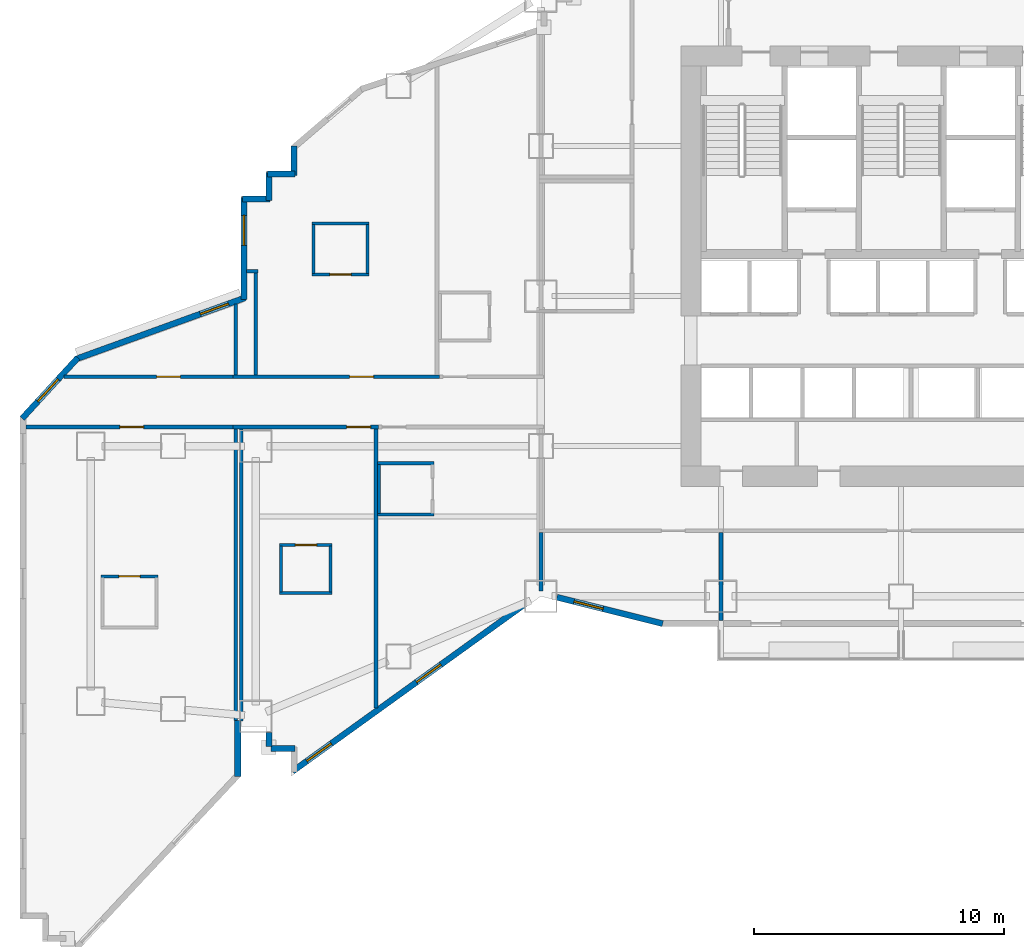
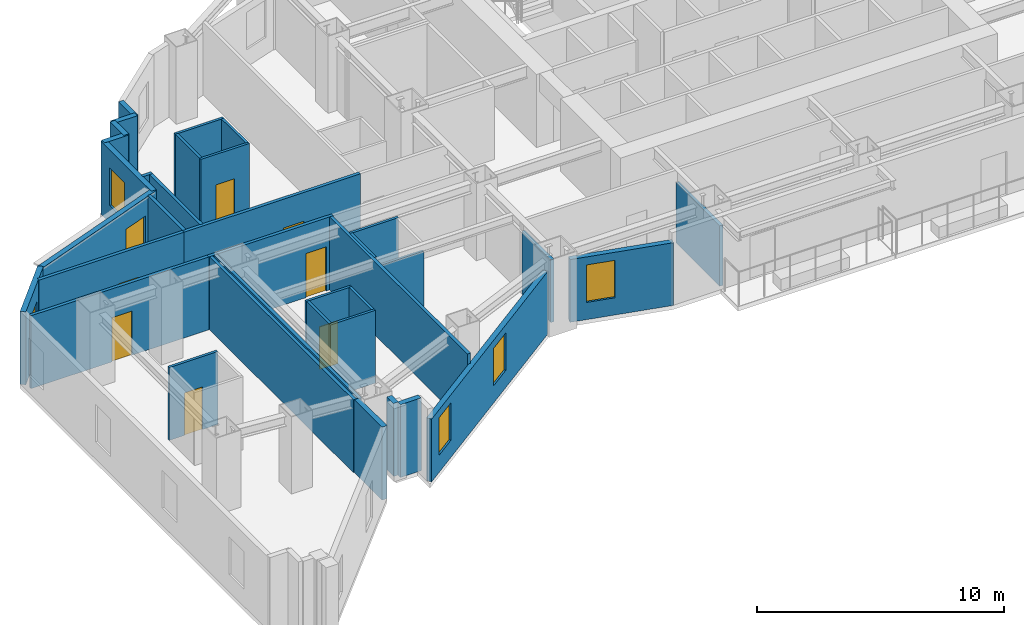
# One storey, part 7 of 17: 36 walls, 7 doors, 6 windows, 13 openings.
"""IFC4 building model written with IfcOpenShell, lengths in metres."""

from ifc_helpers import new_model, si_unit, direction, frame, frame_2d, origin, place, context, subcontext, project, spatial, rectangle, extrude, material, layer, layer_set, type_object, element, fill, save


model = new_model("IFC4")

# Units and contexts
model_context = context("Model", 3, precision=1e-05, world=origin(), true_north=direction((0.0, 1.0)))
body_context = subcontext(model_context, "Body", "Model", "MODEL_VIEW")
ifc_project = project(units=[si_unit("LENGTHUNIT", "METRE"), si_unit("AREAUNIT", "SQUARE_METRE"), si_unit("VOLUMEUNIT", "CUBIC_METRE"), si_unit("PLANEANGLEUNIT", "RADIAN"), si_unit("MASSUNIT", "GRAM", prefix="KILO")], contexts=[model_context])

# Site, building, storey
site_placement = place(None, origin())
site = spatial("IfcSite", under=ifc_project, at=site_placement, CompositionType="ELEMENT")
building_placement = place(site_placement, origin())
building = spatial("IfcBuilding", under=site, at=building_placement, Name="Haolan Belvedere Tower", CompositionType="ELEMENT")
storey_placement = place(building_placement, frame((0.0, 0.0, 27.800048828125)))
storey = spatial("IfcBuildingStorey", under=building, at=storey_placement, Name="L06", CompositionType="ELEMENT", Elevation=27.800048828125)

# Walls
ifc_material_1 = material(Name="Precast concrete C40/50", Category="concrete")
ifc_layer_1 = layer(ifc_material_1, 0.239990234375, Name="Precast concrete C40/50")
ifc_layer_set_1 = layer_set([ifc_layer_1], Name="Precast concrete C40/50")
wall_type_1 = type_object("IfcWallType", Name="WL-EXT-240", PredefinedType="SOLIDWALL", material=ifc_layer_set_1)
wall_1_placement = place(storey_placement, frame((11.8798828125, 14.392333984375, 0.0), z_axis=(0.0, 0.0, 1.0), x_axis=(0.0, 1.0, 0.0)))
element("IfcWall", 1, at=wall_1_placement, inside=storey, type_object=wall_type_1, Name="L06 pale-metal exterior spandrel wall 6.1", PredefinedType="SOLIDWALL", context=body_context, shape_type="SweptSolid", body=[
    extrude(rectangle(XDim=2.24755859375, YDim=0.239990234375, at=frame_2d((1.123779296875, 0.0))), origin(), (0.0, 0.0, 1.0), 3.599853515625),
])
wall_2_placement = place(storey_placement, frame((13.1201171875, 16.157958984375, 0.0), z_axis=(0.0, 0.0, 1.0), x_axis=(0.0, -1.0, 0.0)))
element("IfcWall", 2, at=wall_2_placement, inside=storey, type_object=wall_type_1, Name="L06 pale-metal exterior spandrel wall 8.1", PredefinedType="SOLIDWALL", context=body_context, shape_type="SweptSolid", body=[
    extrude(rectangle(XDim=0.552978515625, YDim=0.239990234375, at=frame_2d((0.2763671875, 0.0))), origin(), (0.0, 0.0, 1.0), 3.599853515625),
])
wall_3_placement = place(storey_placement, frame((13.205078125, 15.52001953125, 0.0), z_axis=(0.0, 0.0, 1.0), x_axis=(1.0, 0.0, 0.0)))
element("IfcWall", 3, at=wall_3_placement, inside=storey, type_object=wall_type_1, Name="L06 pale-metal exterior spandrel wall 9.1", PredefinedType="SOLIDWALL", context=body_context, shape_type="SweptSolid", body=[
    extrude(rectangle(XDim=0.969970703125, YDim=0.239990234375, at=frame_2d((0.48486328125, 0.0))), origin(), (0.0, 0.0, 1.0), 3.599853515625),
])

# Wall, openings, windows
wall_4_placement = place(storey_placement, frame((14.075439453125, 14.602294921875, 0.0), z_axis=(0.0, 0.0, 1.0), x_axis=(0.811535555989, 0.584303038984, 0.0)))
wall_4 = element("IfcWall", 4, at=wall_4_placement, inside=storey, type_object=wall_type_1, Name="L06 pale-metal exterior spandrel wall 11.1", PredefinedType="SOLIDWALL", context=body_context, shape_type="SweptSolid", body=[
    extrude(rectangle(XDim=11.438232421875, YDim=0.239990234375, at=frame_2d((5.71923828125, 0.0))), origin(), (0.0, 0.0, 1.0), 3.096923828125),
])
opening_1_placement = place(wall_4_placement, frame((0.699951171875, 0.0, 0.85009765625)))
opening_1 = element("IfcOpeningElement", 5, at=opening_1_placement, cuts=wall_4, Name="Opening W-01", PredefinedType="OPENING", context=body_context, shape_type="SweptSolid", body=[
    extrude(rectangle(XDim=1.199951171875, YDim=1.85009765625, at=frame_2d((0.60009765625, 0.925048828125))), frame((0.0, 0.1298828125, 0.0), z_axis=(0.0, -1.0, 0.0), x_axis=(1.0, 0.0, 0.0)), (0.0, 0.0, 1.0), 0.260009765625),
])
opening_2_placement = place(wall_4_placement, frame((6.10009765625, 0.0, 0.85009765625)))
opening_2 = element("IfcOpeningElement", 6, at=opening_2_placement, cuts=wall_4, Name="Opening W-01", PredefinedType="OPENING", context=body_context, shape_type="SweptSolid", body=[
    extrude(rectangle(XDim=1.199951171875, YDim=1.85009765625, at=frame_2d((0.60009765625, 0.925048828125))), frame((0.0, 0.1298828125, 0.0), z_axis=(0.0, -1.0, 0.0), x_axis=(1.0, 0.0, 0.0)), (0.0, 0.0, 1.0), 0.260009765625),
])
ifc_material_2 = material(Name="Anodised aluminium 6063-T6 and Low-E glass", Category="aluminium")
window_type = type_object("IfcWindowType", Name="WN-DECO-Z1", PartitioningType="SINGLE_PANEL", PredefinedType="WINDOW", material=ifc_material_2)
window_1_placement = place(opening_1_placement, origin())
window_1 = element("IfcWindow", 7, at=window_1_placement, inside=storey, type_object=window_type, Name="L06 Art Deco chevron window 1", OverallHeight=1.85009765625, OverallWidth=1.199951171875, PartitioningType="SINGLE_PANEL", PredefinedType="WINDOW", context=body_context, shape_type="SweptSolid", body=[
    extrude(rectangle(XDim=1.199951171875, YDim=1.85009765625, at=frame_2d((0.60009765625, 0.925048828125))), frame((0.0, 0.030029296875, 0.0), z_axis=(0.0, -1.0, 0.0), x_axis=(1.0, 0.0, 0.0)), (0.0, 0.0, 1.0), 0.06005859375),
])
fill(opening_1, window_1)
window_2_placement = place(opening_2_placement, origin())
window_2 = element("IfcWindow", 8, at=window_2_placement, inside=storey, type_object=window_type, Name="L06 Art Deco chevron window 2", OverallHeight=1.85009765625, OverallWidth=1.199951171875, PartitioningType="SINGLE_PANEL", PredefinedType="WINDOW", context=body_context, shape_type="SweptSolid", body=[
    extrude(rectangle(XDim=1.199951171875, YDim=1.85009765625, at=frame_2d((0.60009765625, 0.925048828125))), frame((0.0, 0.030029296875, 0.0), z_axis=(0.0, -1.0, 0.0), x_axis=(1.0, 0.0, 0.0)), (0.0, 0.0, 1.0), 0.06005859375),
])
fill(opening_2, window_2)

# Wall, opening, window
wall_5_placement = place(storey_placement, frame((24.64208984375, 21.563232421875, 0.0), z_axis=(0.0, 0.0, 1.0), x_axis=(0.970135906278, -0.242561998982, 0.0)))
wall_5 = element("IfcWall", 9, at=wall_5_placement, inside=storey, type_object=wall_type_1, Name="L06 pale-metal exterior spandrel wall 12.1", PredefinedType="SOLIDWALL", context=body_context, shape_type="SweptSolid", body=[
    extrude(rectangle(XDim=4.356201171875, YDim=0.239990234375, at=frame_2d((2.17822265625, 0.0))), origin(), (0.0, 0.0, 1.0), 3.096923828125),
])
opening_3_placement = place(wall_5_placement, frame((0.699951171875, 0.0, 0.85009765625)))
opening_3 = element("IfcOpeningElement", 10, at=opening_3_placement, cuts=wall_5, Name="Opening W-01", PredefinedType="OPENING", context=body_context, shape_type="SweptSolid", body=[
    extrude(rectangle(XDim=1.199951171875, YDim=1.85009765625, at=frame_2d((0.60009765625, 0.925048828125))), frame((0.0, 0.1298828125, 0.0), z_axis=(0.0, -1.0, 0.0), x_axis=(1.0, 0.0, 0.0)), (0.0, 0.0, 1.0), 0.260009765625),
])
window_3_placement = place(opening_3_placement, origin())
window_3 = element("IfcWindow", 11, at=window_3_placement, inside=storey, type_object=window_type, Name="L06 Art Deco chevron window 1", OverallHeight=1.85009765625, OverallWidth=1.199951171875, PartitioningType="SINGLE_PANEL", PredefinedType="WINDOW", context=body_context, shape_type="SweptSolid", body=[
    extrude(rectangle(XDim=1.199951171875, YDim=1.85009765625, at=frame_2d((0.60009765625, 0.925048828125))), frame((0.0, 0.030029296875, 0.0), z_axis=(0.0, -1.0, 0.0), x_axis=(1.0, 0.0, 0.0)), (0.0, 0.0, 1.0), 0.06005859375),
])
fill(opening_3, window_3)

# Walls
wall_6_placement = place(storey_placement, frame((14.1201171875, 39.599853515625, 0.0), z_axis=(0.0, 0.0, 1.0), x_axis=(0.0, -1.0, 0.0)))
element("IfcWall", 12, at=wall_6_placement, inside=storey, type_object=wall_type_1, Name="L06 pale-metal exterior spandrel wall 52.1", PredefinedType="SOLIDWALL", context=body_context, shape_type="SweptSolid", body=[
    extrude(rectangle(XDim=1.1748046875, YDim=0.239990234375, at=frame_2d((0.58740234375, 0.0))), origin(), (0.0, 0.0, 1.0), 3.599853515625),
])
wall_7_placement = place(storey_placement, frame((14.175048828125, 38.47998046875, 0.0), z_axis=(0.0, 0.0, 1.0), x_axis=(-1.0, 0.0, 0.0)))
element("IfcWall", 13, at=wall_7_placement, inside=storey, type_object=wall_type_1, Name="L06 pale-metal exterior spandrel wall 53.1", PredefinedType="SOLIDWALL", context=body_context, shape_type="SweptSolid", body=[
    extrude(rectangle(XDim=1.110107421875, YDim=0.239990234375, at=frame_2d((0.55517578125, 0.0))), origin(), (0.0, 0.0, 1.0), 3.599853515625),
])
wall_8_placement = place(storey_placement, frame((13.1201171875, 38.534912109375, 0.0), z_axis=(0.0, 0.0, 1.0), x_axis=(0.0, -1.0, 0.0)))
element("IfcWall", 14, at=wall_8_placement, inside=storey, type_object=wall_type_1, Name="L06 pale-metal exterior spandrel wall 54.1", PredefinedType="SOLIDWALL", context=body_context, shape_type="SweptSolid", body=[
    extrude(rectangle(XDim=1.10986328125, YDim=0.239990234375, at=frame_2d((0.554931640625, 0.0))), origin(), (0.0, 0.0, 1.0), 3.599853515625),
])
wall_9_placement = place(storey_placement, frame((13.175048828125, 37.47998046875, 0.0), z_axis=(0.0, 0.0, 1.0), x_axis=(-1.0, 0.0, 0.0)))
element("IfcWall", 15, at=wall_9_placement, inside=storey, type_object=wall_type_1, Name="L06 pale-metal exterior spandrel wall 55.1", PredefinedType="SOLIDWALL", context=body_context, shape_type="SweptSolid", body=[
    extrude(rectangle(XDim=1.110107421875, YDim=0.239990234375, at=frame_2d((0.55517578125, 0.0))), origin(), (0.0, 0.0, 1.0), 3.599853515625),
])

# Wall, opening, window
wall_10_placement = place(storey_placement, frame((12.1201171875, 37.534912109375, 0.0), z_axis=(0.0, 0.0, 1.0), x_axis=(0.0, -1.0, 0.0)))
wall_10 = element("IfcWall", 16, at=wall_10_placement, inside=storey, type_object=wall_type_1, Name="L06 pale-metal exterior spandrel wall 56.1", PredefinedType="SOLIDWALL", context=body_context, shape_type="SweptSolid", body=[
    extrude(rectangle(XDim=4.073974609375, YDim=0.239990234375, at=frame_2d((2.037109375, 0.0))), origin(), (0.0, 0.0, 1.0), 3.599853515625),
])
opening_4_placement = place(wall_10_placement, frame((0.699951171875, 0.0, 0.85009765625)))
opening_4 = element("IfcOpeningElement", 17, at=opening_4_placement, cuts=wall_10, Name="Opening W-01", PredefinedType="OPENING", context=body_context, shape_type="SweptSolid", body=[
    extrude(rectangle(XDim=1.199951171875, YDim=1.85009765625, at=frame_2d((0.60009765625, 0.925048828125))), frame((0.0, 0.1298828125, 0.0), z_axis=(0.0, -1.0, 0.0), x_axis=(1.0, 0.0, 0.0)), (0.0, 0.0, 1.0), 0.260009765625),
])
window_4_placement = place(opening_4_placement, origin())
window_4 = element("IfcWindow", 18, at=window_4_placement, inside=storey, type_object=window_type, Name="L06 Art Deco chevron window 1", OverallHeight=1.85009765625, OverallWidth=1.199951171875, PartitioningType="SINGLE_PANEL", PredefinedType="WINDOW", context=body_context, shape_type="SweptSolid", body=[
    extrude(rectangle(XDim=1.199951171875, YDim=1.85009765625, at=frame_2d((0.60009765625, 0.925048828125))), frame((0.0, 0.030029296875, 0.0), z_axis=(0.0, -1.0, 0.0), x_axis=(1.0, 0.0, 0.0)), (0.0, 0.0, 1.0), 0.06005859375),
])
fill(opening_4, window_4)

wall_11_placement = place(storey_placement, frame((12.171630859375, 33.53466796875, 0.0), z_axis=(0.0, 0.0, 1.0), x_axis=(-0.940125345433, -0.340828893836, 0.0)))
wall_11 = element("IfcWall", 19, at=wall_11_placement, inside=storey, type_object=wall_type_1, Name="L06 pale-metal exterior spandrel wall 57.1", PredefinedType="SOLIDWALL", context=body_context, shape_type="SweptSolid", body=[
    extrude(rectangle(XDim=7.2060546875, YDim=0.239990234375, at=frame_2d((3.60302734375, 0.0))), origin(), (0.0, 0.0, 1.0), 3.599853515625),
])
opening_5_placement = place(wall_11_placement, frame((0.699951171875, 0.0, 0.85009765625)))
opening_5 = element("IfcOpeningElement", 20, at=opening_5_placement, cuts=wall_11, Name="Opening W-01", PredefinedType="OPENING", context=body_context, shape_type="SweptSolid", body=[
    extrude(rectangle(XDim=1.199951171875, YDim=1.85009765625, at=frame_2d((0.60009765625, 0.925048828125))), frame((0.0, 0.1298828125, 0.0), z_axis=(0.0, -1.0, 0.0), x_axis=(1.0, 0.0, 0.0)), (0.0, 0.0, 1.0), 0.260009765625),
])
window_5_placement = place(opening_5_placement, origin())
window_5 = element("IfcWindow", 21, at=window_5_placement, inside=storey, type_object=window_type, Name="L06 Art Deco chevron window 1", OverallHeight=1.85009765625, OverallWidth=1.199951171875, PartitioningType="SINGLE_PANEL", PredefinedType="WINDOW", context=body_context, shape_type="SweptSolid", body=[
    extrude(rectangle(XDim=1.199951171875, YDim=1.85009765625, at=frame_2d((0.60009765625, 0.925048828125))), frame((0.0, 0.030029296875, 0.0), z_axis=(0.0, -1.0, 0.0), x_axis=(1.0, 0.0, 0.0)), (0.0, 0.0, 1.0), 0.06005859375),
])
fill(opening_5, window_5)

wall_12_placement = place(storey_placement, frame((5.48583984375, 31.1376953125, 0.0), z_axis=(0.0, 0.0, 1.0), x_axis=(-0.675791838304, -0.737092525591, 0.0)))
wall_12 = element("IfcWall", 22, at=wall_12_placement, inside=storey, type_object=wall_type_1, Name="L06 pale-metal exterior spandrel wall 58.1", PredefinedType="SOLIDWALL", context=body_context, shape_type="SweptSolid", body=[
    extrude(rectangle(XDim=3.289794921875, YDim=0.239990234375, at=frame_2d((1.64501953125, 0.0))), origin(), (0.0, 0.0, 1.0), 3.599853515625),
])
opening_6_placement = place(wall_12_placement, frame((1.166748046875, 0.0, 0.85009765625)))
opening_6 = element("IfcOpeningElement", 23, at=opening_6_placement, cuts=wall_12, Name="Opening W-01", PredefinedType="OPENING", context=body_context, shape_type="SweptSolid", body=[
    extrude(rectangle(XDim=1.199951171875, YDim=1.85009765625, at=frame_2d((0.60009765625, 0.925048828125))), frame((0.0, 0.1298828125, 0.0), z_axis=(0.0, -1.0, 0.0), x_axis=(1.0, 0.0, 0.0)), (0.0, 0.0, 1.0), 0.260009765625),
])
window_6_placement = place(opening_6_placement, origin())
window_6 = element("IfcWindow", 24, at=window_6_placement, inside=storey, type_object=window_type, Name="L06 Art Deco chevron window 1", OverallHeight=1.85009765625, OverallWidth=1.199951171875, PartitioningType="SINGLE_PANEL", PredefinedType="WINDOW", context=body_context, shape_type="SweptSolid", body=[
    extrude(rectangle(XDim=1.199951171875, YDim=1.85009765625, at=frame_2d((0.60009765625, 0.925048828125))), frame((0.0, 0.030029296875, 0.0), z_axis=(0.0, -1.0, 0.0), x_axis=(1.0, 0.0, 0.0)), (0.0, 0.0, 1.0), 0.06005859375),
])
fill(opening_6, window_6)

# Walls
ifc_material_3 = material(Name="Double gypsum acoustic stud partition", Category="masonry")
ifc_layer_2 = layer(ifc_material_3, 0.14990234375, Name="Double gypsum acoustic stud partition")
ifc_layer_set_2 = layer_set([ifc_layer_2], Name="Double gypsum acoustic stud partition")
wall_type_2 = type_object("IfcWallType", Name="WL-PART-150", PredefinedType="PARTITIONING", material=ifc_layer_set_2)
wall_13_placement = place(storey_placement, frame((24.0, 21.818603515625, 0.0), z_axis=(0.0, 0.0, 1.0), x_axis=(0.0, 1.0, 0.0)))
element("IfcWall", 25, at=wall_13_placement, inside=storey, type_object=wall_type_2, Name="L06 interior partition IW-L06-KS1-W", PredefinedType="PARTITIONING", context=body_context, shape_type="SweptSolid", body=[
    extrude(rectangle(XDim=2.34130859375, YDim=0.14990234375, at=frame_2d((1.170654296875, 0.0))), origin(), (0.0, 0.0, 1.0), 3.096923828125),
])
wall_14_placement = place(storey_placement, frame((31.199951171875, 20.625, 0.0), z_axis=(0.0, 0.0, 1.0), x_axis=(0.0, 1.0, 0.0)))
element("IfcWall", 26, at=wall_14_placement, inside=storey, type_object=wall_type_2, Name="L06 interior partition IW-L06-KS1-E", PredefinedType="PARTITIONING", context=body_context, shape_type="SweptSolid", body=[
    extrude(rectangle(XDim=3.534912109375, YDim=0.14990234375, at=frame_2d((1.767578125, 0.0))), origin(), (0.0, 0.0, 1.0), 2.98486328125),
])

# Wall, opening, door
wall_15_placement = place(storey_placement, frame((11.699951171875, 30.3798828125, 0.0), z_axis=(0.0, 0.0, 1.0), x_axis=(1.0, 0.0, 0.0)))
wall_15 = element("IfcWall", 27, at=wall_15_placement, inside=storey, type_object=wall_type_2, Name="L06 interior partition IW-L06-T2N1-S", PredefinedType="PARTITIONING", context=body_context, shape_type="SweptSolid", body=[
    extrude(rectangle(XDim=8.25, YDim=0.14990234375, at=frame_2d((4.125, 0.0))), origin(), (0.0, 0.0, 1.0), 3.599853515625),
])
opening_7_placement = place(wall_15_placement, frame((4.657470703125, 0.0, 0.0)))
opening_7 = element("IfcOpeningElement", 28, at=opening_7_placement, cuts=wall_15, Name="Opening ID-01", PredefinedType="OPENING", context=body_context, shape_type="SweptSolid", body=[
    extrude(rectangle(XDim=0.949951171875, YDim=2.179931640625, at=frame_2d((0.47509765625, 1.08984375))), frame((0.0, 0.0849609375, 0.0), z_axis=(0.0, -1.0, 0.0), x_axis=(1.0, 0.0, 0.0)), (0.0, 0.0, 1.0), 0.169921875),
])
ifc_material_4 = material(Name="Acoustic walnut veneer fire-rated timber", Category="wood")
door_type_1 = type_object("IfcDoorType", Name="DR-SUITE-950", OperationType="NOTDEFINED", PredefinedType="DOOR", material=ifc_material_4)
door_1_placement = place(opening_7_placement, origin())
door_1 = element("IfcDoor", 29, at=door_1_placement, inside=storey, type_object=door_type_1, Name="L06 door ID-L06-T2N1-ENT", OperationType="SINGLE_SWING_LEFT", OverallHeight=2.179931640625, OverallWidth=0.949951171875, PredefinedType="DOOR", context=body_context, shape_type="SweptSolid", body=[
    extrude(rectangle(XDim=0.949951171875, YDim=2.179931640625, at=frame_2d((0.47509765625, 1.08984375))), frame((0.0, 0.02490234375, 0.0), z_axis=(0.0, -1.0, 0.0), x_axis=(1.0, 0.0, 0.0)), (0.0, 0.0, 1.0), 0.050048828125),
])
fill(opening_7, door_1)

# Wall
wall_16_placement = place(storey_placement, frame((11.800048828125, 30.43994140625, 0.0), z_axis=(0.0, 0.0, 1.0), x_axis=(0.0, 1.0, 0.0)))
element("IfcWall", 30, at=wall_16_placement, inside=storey, type_object=wall_type_2, Name="L06 interior partition IW-L06-T2N1-W", PredefinedType="PARTITIONING", context=body_context, shape_type="SweptSolid", body=[
    extrude(rectangle(XDim=2.84814453125, YDim=0.14990234375, at=frame_2d((1.424072265625, 0.0))), origin(), (0.0, 0.0, 1.0), 3.599853515625),
])

# Wall, opening, door
wall_17_placement = place(storey_placement, frame((11.699951171875, 28.3701171875, 0.0), z_axis=(0.0, 0.0, 1.0), x_axis=(1.0, 0.0, 0.0)))
wall_17 = element("IfcWall", 31, at=wall_17_placement, inside=storey, type_object=wall_type_2, Name="L06 interior partition IW-L06-T2S1-N", PredefinedType="PARTITIONING", context=body_context, shape_type="SweptSolid", body=[
    extrude(rectangle(XDim=5.81005859375, YDim=0.14990234375, at=frame_2d((2.905029296875, 0.0))), origin(), (0.0, 0.0, 1.0), 3.599853515625),
])
opening_8_placement = place(wall_17_placement, frame((5.48779296875, 0.0, 0.0), z_axis=(0.0, 0.0, 1.0), x_axis=(-1.0, 0.0, 0.0)))
opening_8 = element("IfcOpeningElement", 32, at=opening_8_placement, cuts=wall_17, Name="Opening ID-01", PredefinedType="OPENING", context=body_context, shape_type="SweptSolid", body=[
    extrude(rectangle(XDim=0.949951171875, YDim=2.179931640625, at=frame_2d((0.47509765625, 1.08984375))), frame((0.0, 0.0849609375, 0.0), z_axis=(0.0, -1.0, 0.0), x_axis=(1.0, 0.0, 0.0)), (0.0, 0.0, 1.0), 0.169921875),
])
door_2_placement = place(opening_8_placement, origin())
door_2 = element("IfcDoor", 33, at=door_2_placement, inside=storey, type_object=door_type_1, Name="L06 door ID-L06-T2S1-ENT", OperationType="SINGLE_SWING_LEFT", OverallHeight=2.179931640625, OverallWidth=0.949951171875, PredefinedType="DOOR", context=body_context, shape_type="SweptSolid", body=[
    extrude(rectangle(XDim=0.949951171875, YDim=2.179931640625, at=frame_2d((0.47509765625, 1.08984375))), frame((0.0, 0.02490234375, 0.0), z_axis=(0.0, -1.0, 0.0), x_axis=(1.0, 0.0, 0.0)), (0.0, 0.0, 1.0), 0.050048828125),
])
fill(opening_8, door_2)

# Walls
wall_18_placement = place(storey_placement, frame((11.800048828125, 16.64208984375, 0.0), z_axis=(0.0, 0.0, 1.0), x_axis=(0.0, 1.0, 0.0)))
element("IfcWall", 34, at=wall_18_placement, inside=storey, type_object=wall_type_2, Name="L06 interior partition IW-L06-T2S1-W", PredefinedType="PARTITIONING", context=body_context, shape_type="SweptSolid", body=[
    extrude(rectangle(XDim=11.66796875, YDim=0.14990234375, at=frame_2d((5.833984375, 0.0))), origin(), (0.0, 0.0, 1.0), 3.599853515625),
])
wall_19_placement = place(storey_placement, frame((17.409912109375, 17.132568359375, 0.0), z_axis=(0.0, 0.0, 1.0), x_axis=(0.0, 1.0, 0.0)))
element("IfcWall", 35, at=wall_19_placement, inside=storey, type_object=wall_type_2, Name="L06 interior partition IW-L06-T2S1-E", PredefinedType="PARTITIONING", context=body_context, shape_type="SweptSolid", body=[
    extrude(rectangle(XDim=11.177490234375, YDim=0.14990234375, at=frame_2d((5.5888671875, 0.0))), origin(), (0.0, 0.0, 1.0), 3.599853515625),
])

# Wall, opening, door
wall_20_placement = place(storey_placement, frame((3.405029296875, 28.3701171875, 0.0), z_axis=(0.0, 0.0, 1.0), x_axis=(1.0, 0.0, 0.0)))
wall_20 = element("IfcWall", 36, at=wall_20_placement, inside=storey, type_object=wall_type_2, Name="L06 interior partition IW-L06-T1S1-N", PredefinedType="PARTITIONING", context=body_context, shape_type="SweptSolid", body=[
    extrude(rectangle(XDim=8.29296875, YDim=0.14990234375, at=frame_2d((4.146484375, 0.0))), origin(), (0.0, 0.0, 1.0), 3.599853515625),
])
opening_9_placement = place(wall_20_placement, frame((4.71484375, 0.0, 0.0), z_axis=(0.0, 0.0, 1.0), x_axis=(-1.0, 0.0, 0.0)))
opening_9 = element("IfcOpeningElement", 37, at=opening_9_placement, cuts=wall_20, Name="Opening ID-01", PredefinedType="OPENING", context=body_context, shape_type="SweptSolid", body=[
    extrude(rectangle(XDim=0.949951171875, YDim=2.179931640625, at=frame_2d((0.47509765625, 1.08984375))), frame((0.0, 0.0849609375, 0.0), z_axis=(0.0, -1.0, 0.0), x_axis=(1.0, 0.0, 0.0)), (0.0, 0.0, 1.0), 0.169921875),
])
door_3_placement = place(opening_9_placement, origin())
door_3 = element("IfcDoor", 38, at=door_3_placement, inside=storey, type_object=door_type_1, Name="L06 door ID-L06-T1S1-ENT", OperationType="SINGLE_SWING_LEFT", OverallHeight=2.179931640625, OverallWidth=0.949951171875, PredefinedType="DOOR", context=body_context, shape_type="SweptSolid", body=[
    extrude(rectangle(XDim=0.949951171875, YDim=2.179931640625, at=frame_2d((0.47509765625, 1.08984375))), frame((0.0, 0.02490234375, 0.0), z_axis=(0.0, -1.0, 0.0), x_axis=(1.0, 0.0, 0.0)), (0.0, 0.0, 1.0), 0.050048828125),
])
fill(opening_9, door_3)

# Walls
wall_21_placement = place(storey_placement, frame((12.02001953125, 16.612060546875, 0.0), z_axis=(0.0, 0.0, 1.0), x_axis=(0.0, 1.0, 0.0)))
element("IfcWall", 39, at=wall_21_placement, inside=storey, type_object=wall_type_2, Name="L06 interior partition IW-L06-T1S1-E", PredefinedType="PARTITIONING", context=body_context, shape_type="SweptSolid", body=[
    extrude(rectangle(XDim=11.697998046875, YDim=0.14990234375, at=frame_2d((5.84912109375, 0.0))), origin(), (0.0, 0.0, 1.0), 3.599853515625),
])
wall_22_placement = place(storey_placement, frame((12.22509765625, 34.60009765625, 0.0), z_axis=(0.0, 0.0, 1.0), x_axis=(1.0, 0.0, 0.0)))
element("IfcWall", 40, at=wall_22_placement, inside=storey, type_object=wall_type_2, Name="L06 interior partition IW-L06-T1N1-N", PredefinedType="PARTITIONING", context=body_context, shape_type="SweptSolid", body=[
    extrude(rectangle(XDim=0.454833984375, YDim=0.14990234375, at=frame_2d((0.2275390625, 0.0))), origin(), (0.0, 0.0, 1.0), 3.599853515625),
])

# Wall, opening, door
wall_23_placement = place(storey_placement, frame((4.93359375, 30.3798828125, 0.0), z_axis=(0.0, 0.0, 1.0), x_axis=(1.0, 0.0, 0.0)))
wall_23 = element("IfcWall", 41, at=wall_23_placement, inside=storey, type_object=wall_type_2, Name="L06 interior partition IW-L06-T1N1-S", PredefinedType="PARTITIONING", context=body_context, shape_type="SweptSolid", body=[
    extrude(rectangle(XDim=6.764404296875, YDim=0.14990234375, at=frame_2d((3.38232421875, 0.0))), origin(), (0.0, 0.0, 1.0), 3.599853515625),
])
opening_10_placement = place(wall_23_placement, frame((3.703857421875, 0.0, 0.0)))
opening_10 = element("IfcOpeningElement", 42, at=opening_10_placement, cuts=wall_23, Name="Opening ID-03", PredefinedType="OPENING", context=body_context, shape_type="SweptSolid", body=[
    extrude(rectangle(XDim=0.949951171875, YDim=2.1201171875, at=frame_2d((0.47509765625, 1.06005859375))), frame((0.0, 0.0849609375, 0.0), z_axis=(0.0, -1.0, 0.0), x_axis=(1.0, 0.0, 0.0)), (0.0, 0.0, 1.0), 0.169921875),
])
ifc_material_5 = material(Name="Painted solid-core timber", Category="wood")
door_type_2 = type_object("IfcDoorType", Name="DR-INT-950", OperationType="NOTDEFINED", PredefinedType="DOOR", material=ifc_material_5)
door_4_placement = place(opening_10_placement, origin())
door_4 = element("IfcDoor", 43, at=door_4_placement, inside=storey, type_object=door_type_2, Name="L06 door ID-L06-T1N1", OperationType="SINGLE_SWING_LEFT", OverallHeight=2.1201171875, OverallWidth=0.949951171875, PredefinedType="DOOR", context=body_context, shape_type="SweptSolid", body=[
    extrude(rectangle(XDim=0.949951171875, YDim=2.1201171875, at=frame_2d((0.47509765625, 1.06005859375))), frame((0.0, 0.02490234375, 0.0), z_axis=(0.0, -1.0, 0.0), x_axis=(1.0, 0.0, 0.0)), (0.0, 0.0, 1.0), 0.050048828125),
])
fill(opening_10, door_4)

# Walls
wall_24_placement = place(storey_placement, frame((12.60009765625, 30.43994140625, 0.0), z_axis=(0.0, 0.0, 1.0), x_axis=(0.0, 1.0, 0.0)))
element("IfcWall", 44, at=wall_24_placement, inside=storey, type_object=wall_type_2, Name="L06 interior partition IW-L06-T1N1-E", PredefinedType="PARTITIONING", context=body_context, shape_type="SweptSolid", body=[
    extrude(rectangle(XDim=4.10009765625, YDim=0.14990234375, at=frame_2d((2.050048828125, 0.0))), origin(), (0.0, 0.0, 1.0), 3.599853515625),
])
ifc_material_6 = material(Name="Moisture-resistant gypsum tile partition", Category="masonry")
ifc_layer_3 = layer(ifc_material_6, 0.1201171875, Name="Moisture-resistant gypsum tile partition")
ifc_layer_set_3 = layer_set([ifc_layer_3], Name="Moisture-resistant gypsum tile partition")
wall_type_3 = type_object("IfcWallType", Name="WL-WET-120", PredefinedType="PARTITIONING", material=ifc_layer_set_3)
wall_25_placement = place(storey_placement, frame((14.85498046875, 36.513916015625, 0.0), z_axis=(0.0, 0.0, 1.0), x_axis=(1.0, 0.0, 0.0)))
element("IfcWall", 45, at=wall_25_placement, inside=storey, type_object=wall_type_3, Name="L06 interior partition IW-L06-T2N1-BN", PredefinedType="PARTITIONING", context=body_context, shape_type="SweptSolid", body=[
    extrude(rectangle(XDim=2.27001953125, YDim=0.1201171875, at=frame_2d((1.135009765625, 0.0))), origin(), (0.0, 0.0, 1.0), 3.599853515625),
])

# Wall, opening, door
wall_26_placement = place(storey_placement, frame((14.85498046875, 34.464111328125, 0.0), z_axis=(0.0, 0.0, 1.0), x_axis=(1.0, 0.0, 0.0)))
wall_26 = element("IfcWall", 46, at=wall_26_placement, inside=storey, type_object=wall_type_3, Name="L06 interior partition IW-L06-T2N1-BS", PredefinedType="PARTITIONING", context=body_context, shape_type="SweptSolid", body=[
    extrude(rectangle(XDim=2.27001953125, YDim=0.1201171875, at=frame_2d((1.135009765625, 0.0))), origin(), (0.0, 0.0, 1.0), 3.599853515625),
])
opening_11_placement = place(wall_26_placement, frame((0.7099609375, 0.0, 0.0)))
opening_11 = element("IfcOpeningElement", 47, at=opening_11_placement, cuts=wall_26, Name="Opening ID-05", PredefinedType="OPENING", context=body_context, shape_type="SweptSolid", body=[
    extrude(rectangle(XDim=0.85009765625, YDim=2.10009765625, at=frame_2d((0.425048828125, 1.050048828125))), frame((0.0, 0.070068359375, 0.0), z_axis=(0.0, -1.0, 0.0), x_axis=(1.0, 0.0, 0.0)), (0.0, 0.0, 1.0), 0.14013671875),
])
ifc_material_7 = material(Name="Moisture-resistant lacquered timber", Category="wood")
door_type_3 = type_object("IfcDoorType", Name="DR-BATH-850", OperationType="NOTDEFINED", PredefinedType="DOOR", material=ifc_material_7)
door_5_placement = place(opening_11_placement, origin())
door_5 = element("IfcDoor", 48, at=door_5_placement, inside=storey, type_object=door_type_3, Name="L06 door ID-L06-T2N1-BATH", OperationType="SINGLE_SWING_RIGHT", OverallHeight=2.10009765625, OverallWidth=0.85009765625, PredefinedType="DOOR", context=body_context, shape_type="SweptSolid", body=[
    extrude(rectangle(XDim=0.85009765625, YDim=2.10009765625, at=frame_2d((0.425048828125, 1.050048828125))), frame((0.0, 0.02490234375, 0.0), z_axis=(0.0, -1.0, 0.0), x_axis=(1.0, 0.0, 0.0)), (0.0, 0.0, 1.0), 0.050048828125),
])
fill(opening_11, door_5)

# Walls
for number, where, z_axis, x_axis, name in (
    (49, (14.9150390625, 34.509033203125, 0.0), (0.0, 0.0, 1.0), (0.0, 1.0, 0.0), "L06 interior partition IW-L06-T2N1-BW"),
    (50, (17.06494140625, 34.509033203125, 0.0), (0.0, 0.0, 1.0), (0.0, 1.0, 0.0), "L06 interior partition IW-L06-T2N1-BE"),
):
    element("IfcWall", number, at=place(storey_placement, frame(where, z_axis=z_axis, x_axis=x_axis)), inside=storey, type_object=wall_type_3, Name=name, PredefinedType="PARTITIONING", context=body_context, shape_type="SweptSolid", body=[
        extrude(rectangle(XDim=1.9599609375, YDim=0.1201171875, at=frame_2d((0.97998046875, 0.0))), origin(), (0.0, 0.0, 1.0), 3.599853515625),
    ])

# Wall, opening, door
wall_27_placement = place(storey_placement, frame((13.554931640625, 23.653076171875, 0.0), z_axis=(0.0, 0.0, 1.0), x_axis=(1.0, 0.0, 0.0)))
wall_27 = element("IfcWall", 51, at=wall_27_placement, inside=storey, type_object=wall_type_3, Name="L06 interior partition IW-L06-T2S1-BN", PredefinedType="PARTITIONING", context=body_context, shape_type="SweptSolid", body=[
    extrude(rectangle(XDim=2.10009765625, YDim=0.1201171875, at=frame_2d((1.050048828125, 0.0))), origin(), (0.0, 0.0, 1.0), 3.599853515625),
])
opening_12_placement = place(wall_27_placement, frame((1.47509765625, 0.0, 0.0), z_axis=(0.0, 0.0, 1.0), x_axis=(-1.0, 0.0, 0.0)))
opening_12 = element("IfcOpeningElement", 52, at=opening_12_placement, cuts=wall_27, Name="Opening ID-05", PredefinedType="OPENING", context=body_context, shape_type="SweptSolid", body=[
    extrude(rectangle(XDim=0.85009765625, YDim=2.10009765625, at=frame_2d((0.425048828125, 1.050048828125))), frame((0.0, 0.070068359375, 0.0), z_axis=(0.0, -1.0, 0.0), x_axis=(1.0, 0.0, 0.0)), (0.0, 0.0, 1.0), 0.14013671875),
])
door_6_placement = place(opening_12_placement, origin())
door_6 = element("IfcDoor", 53, at=door_6_placement, inside=storey, type_object=door_type_3, Name="L06 door ID-L06-T2S1-BATH", OperationType="SINGLE_SWING_RIGHT", OverallHeight=2.10009765625, OverallWidth=0.85009765625, PredefinedType="DOOR", context=body_context, shape_type="SweptSolid", body=[
    extrude(rectangle(XDim=0.85009765625, YDim=2.10009765625, at=frame_2d((0.425048828125, 1.050048828125))), frame((0.0, 0.02490234375, 0.0), z_axis=(0.0, -1.0, 0.0), x_axis=(1.0, 0.0, 0.0)), (0.0, 0.0, 1.0), 0.050048828125),
])
fill(opening_12, door_6)

# Walls
wall_28_placement = place(storey_placement, frame((13.554931640625, 21.73291015625, 0.0), z_axis=(0.0, 0.0, 1.0), x_axis=(1.0, 0.0, 0.0)))
element("IfcWall", 54, at=wall_28_placement, inside=storey, type_object=wall_type_3, Name="L06 interior partition IW-L06-T2S1-BS", PredefinedType="PARTITIONING", context=body_context, shape_type="SweptSolid", body=[
    extrude(rectangle(XDim=2.10009765625, YDim=0.1201171875, at=frame_2d((1.050048828125, 0.0))), origin(), (0.0, 0.0, 1.0), 3.599853515625),
])
for number, where, z_axis, x_axis, name in (
    (55, (13.614990234375, 21.778076171875, 0.0), (0.0, 0.0, 1.0), (0.0, 1.0, 0.0), "L06 interior partition IW-L06-T2S1-BW"),
    (56, (15.594970703125, 21.778076171875, 0.0), (0.0, 0.0, 1.0), (0.0, 1.0, 0.0), "L06 interior partition IW-L06-T2S1-BE"),
):
    element("IfcWall", number, at=place(storey_placement, frame(where, z_axis=z_axis, x_axis=x_axis)), inside=storey, type_object=wall_type_3, Name=name, PredefinedType="PARTITIONING", context=body_context, shape_type="SweptSolid", body=[
        extrude(rectangle(XDim=1.829833984375, YDim=0.1201171875, at=frame_2d((0.9150390625, 0.0))), origin(), (0.0, 0.0, 1.0), 3.599853515625),
    ])
wall_29_placement = place(storey_placement, frame((17.469970703125, 26.919921875, 0.0), z_axis=(0.0, 0.0, 1.0), x_axis=(1.0, 0.0, 0.0)))
element("IfcWall", 57, at=wall_29_placement, inside=storey, type_object=wall_type_3, Name="L06 interior partition IW-L06-T2S2-BN", PredefinedType="PARTITIONING", context=body_context, shape_type="SweptSolid", body=[
    extrude(rectangle(XDim=2.26513671875, YDim=0.1201171875, at=frame_2d((1.132568359375, 0.0))), origin(), (0.0, 0.0, 1.0), 3.599853515625),
])
wall_30_placement = place(storey_placement, frame((17.469970703125, 24.8701171875, 0.0), z_axis=(0.0, 0.0, 1.0), x_axis=(1.0, 0.0, 0.0)))
element("IfcWall", 58, at=wall_30_placement, inside=storey, type_object=wall_type_3, Name="L06 interior partition IW-L06-T2S2-BS", PredefinedType="PARTITIONING", context=body_context, shape_type="SweptSolid", body=[
    extrude(rectangle(XDim=2.26513671875, YDim=0.1201171875, at=frame_2d((1.132568359375, 0.0))), origin(), (0.0, 0.0, 1.0), 3.18505859375),
])
wall_31_placement = place(storey_placement, frame((17.52490234375, 24.9150390625, 0.0), z_axis=(0.0, 0.0, 1.0), x_axis=(0.0, 1.0, 0.0)))
element("IfcWall", 59, at=wall_31_placement, inside=storey, type_object=wall_type_3, Name="L06 interior partition IW-L06-T2S2-BW", PredefinedType="PARTITIONING", context=body_context, shape_type="SweptSolid", body=[
    extrude(rectangle(XDim=1.9599609375, YDim=0.1201171875, at=frame_2d((0.97998046875, 0.0))), origin(), (0.0, 0.0, 1.0), 3.599853515625),
])

# Wall, opening, door
wall_32_placement = place(storey_placement, frame((6.4130859375, 22.39794921875, 0.0), z_axis=(0.0, 0.0, 1.0), x_axis=(1.0, 0.0, 0.0)))
wall_32 = element("IfcWall", 60, at=wall_32_placement, inside=storey, type_object=wall_type_3, Name="L06 interior partition IW-L06-T1S1-BN", PredefinedType="PARTITIONING", context=body_context, shape_type="SweptSolid", body=[
    extrude(rectangle(XDim=2.27001953125, YDim=0.1201171875, at=frame_2d((1.135009765625, 0.0))), origin(), (0.0, 0.0, 1.0), 3.599853515625),
])
opening_13_placement = place(wall_32_placement, frame((1.56005859375, 0.0, 0.0), z_axis=(0.0, 0.0, 1.0), x_axis=(-1.0, 0.0, 0.0)))
opening_13 = element("IfcOpeningElement", 61, at=opening_13_placement, cuts=wall_32, Name="Opening ID-05", PredefinedType="OPENING", context=body_context, shape_type="SweptSolid", body=[
    extrude(rectangle(XDim=0.85009765625, YDim=2.10009765625, at=frame_2d((0.425048828125, 1.050048828125))), frame((0.0, 0.070068359375, 0.0), z_axis=(0.0, -1.0, 0.0), x_axis=(1.0, 0.0, 0.0)), (0.0, 0.0, 1.0), 0.14013671875),
])
door_7_placement = place(opening_13_placement, origin())
door_7 = element("IfcDoor", 62, at=door_7_placement, inside=storey, type_object=door_type_3, Name="L06 door ID-L06-T1S1-BATH", OperationType="SINGLE_SWING_RIGHT", OverallHeight=2.10009765625, OverallWidth=0.85009765625, PredefinedType="DOOR", context=body_context, shape_type="SweptSolid", body=[
    extrude(rectangle(XDim=0.85009765625, YDim=2.10009765625, at=frame_2d((0.425048828125, 1.050048828125))), frame((0.0, 0.02490234375, 0.0), z_axis=(0.0, -1.0, 0.0), x_axis=(1.0, 0.0, 0.0)), (0.0, 0.0, 1.0), 0.050048828125),
])
fill(opening_13, door_7)

save(model, "model.ifc")
